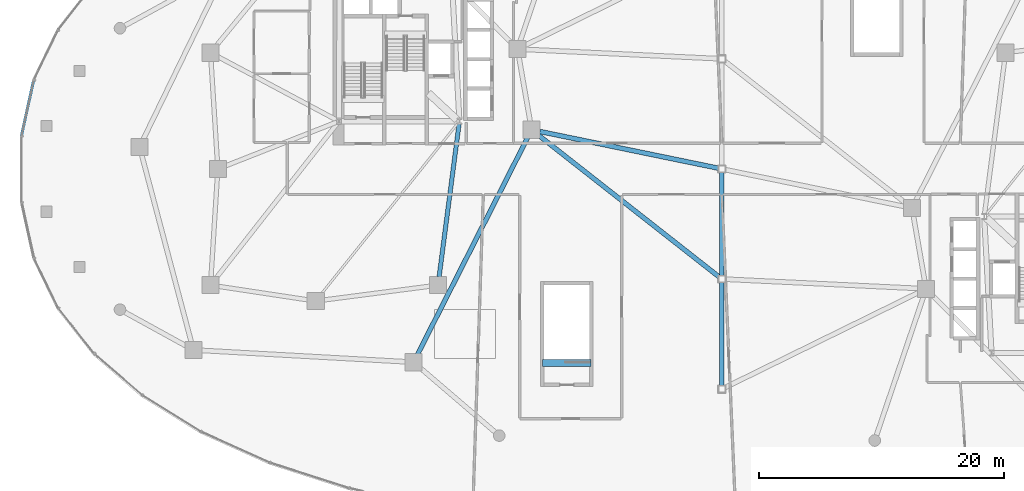
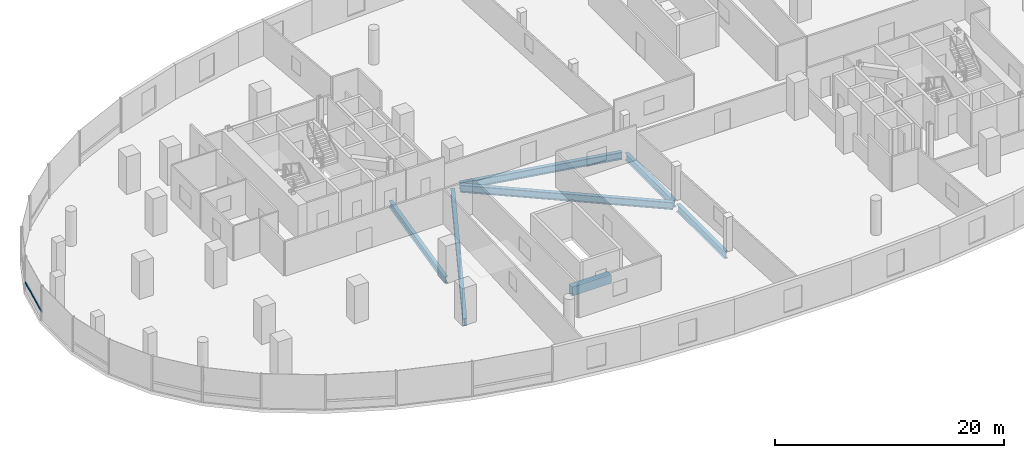
# One storey, part 4 of 18: 7 beams, 1 member, 1 element without a shape of its own.
"""IFC4 building model written with IfcOpenShell, lengths in metres."""

from ifc_helpers import new_model, si_unit, direction, frame, origin, origin_2d, place, context, subcontext, project, spatial, rectangle, i_section, extrude, material, material_profile, profile_set, type_object, element, aggregate, save


model = new_model("IFC4")

# Units and contexts
model_context = context("Model", 3, precision=1e-05, world=origin(), true_north=direction((0.0, 1.0)))
body_context = subcontext(model_context, "Body", "Model", "MODEL_VIEW")
ifc_project = project(units=[si_unit("LENGTHUNIT", "METRE"), si_unit("AREAUNIT", "SQUARE_METRE"), si_unit("VOLUMEUNIT", "CUBIC_METRE"), si_unit("PLANEANGLEUNIT", "RADIAN"), si_unit("MASSUNIT", "GRAM", prefix="KILO"), si_unit("THERMODYNAMICTEMPERATUREUNIT", "KELVIN"), si_unit("POWERUNIT", "WATT")], contexts=[model_context])

# Site, building, storey
site_placement = place(None, origin())
site = spatial("IfcSite", under=ifc_project, at=site_placement, CompositionType="ELEMENT")
building_placement = place(site_placement, origin())
building = spatial("IfcBuilding", under=site, at=building_placement, Name="Cundina Bronze Exchange", CompositionType="ELEMENT")
storey_placement = place(building_placement, frame((0.0, 0.0, 20.0)))
storey = spatial("IfcBuildingStorey", under=building, at=storey_placement, Name="L04", CompositionType="ELEMENT", Elevation=20.0)

# Beams
ifc_material_1 = material(Name="Concrete C60/75", Category="concrete")
ifc_material_profile_1 = material_profile(ifc_material_1, rectangle(XDim=0.60009765625, YDim=0.949951171875, at=origin_2d()), Name="RC600X950", Category="concrete")
ifc_profile_set_1 = profile_set([ifc_material_profile_1], Name="Concrete C60/75")
beam_type_1 = type_object("IfcBeamType", Name="BM-COUP-RC950", PredefinedType="LINTEL", material=ifc_profile_set_1)
beam_1_placement = place(storey_placement, frame((-14.639892578125, -15.8701171875, -0.47509765625), z_axis=(1.0, 0.0, 0.0), x_axis=(0.0, 1.0, 0.0)))
element("IfcBeam", 1, at=beam_1_placement, inside=storey, type_object=beam_type_1, Name="L04 Concourse Stair W Landing Header Beam", PredefinedType="LINTEL", context=body_context, shape_type="SweptSolid", body=[
    extrude(rectangle(XDim=0.60009765625, YDim=0.949951171875, at=origin_2d()), origin(), (0.0, 0.0, 1.0), 3.93994140625),
])
ifc_material_2 = material(Name="Steel ASTM A992 Grade 50", Category="steel")
ifc_material_profile_2 = material_profile(ifc_material_2, i_section(OverallWidth=0.35498046875, OverallDepth=0.695068359375, WebThickness=0.015380859375, FlangeThickness=0.02490234375, FilletRadius=0.01806640625, at=origin_2d()), Name="W27X146", Category="steel")
ifc_profile_set_2 = profile_set([ifc_material_profile_2], Name="Steel ASTM A992 Grade 50")
beam_type_2 = type_object("IfcBeamType", Name="BM-RING-W27", PredefinedType="USERDEFINED", material=ifc_profile_set_2)
beam_2_placement = place(storey_placement, frame((-23.11083984375, -8.81787109375, -0.697509765625), z_axis=(0.129498776905, 0.991579581668, 0.0), x_axis=(-0.991579581668, 0.129498776905, 0.0)))
element("IfcBeam", 2, at=beam_2_placement, inside=storey, type_object=beam_type_2, Name="L04 W Inner Structural Ring Girder 07", ObjectType="GIRDER", PredefinedType="USERDEFINED", context=body_context, shape_type="SweptSolid", body=[
    extrude(i_section(OverallWidth=0.35498046875, OverallDepth=0.695068359375, WebThickness=0.015380859375, FlangeThickness=0.02490234375, FilletRadius=0.01806640625, at=origin_2d()), origin(), (0.0, 0.0, 1.0), 12.621826171875),
])
ifc_material_profile_3 = material_profile(ifc_material_2, i_section(OverallWidth=0.381103515625, OverallDepth=0.77294921875, WebThickness=0.0166015625, FlangeThickness=0.027099609375, FilletRadius=0.01904296875, at=origin_2d()), Name="W30X173", Category="steel")
ifc_profile_set_3 = profile_set([ifc_material_profile_3], Name="Steel ASTM A992 Grade 50")
beam_type_3 = type_object("IfcBeamType", Name="BM-RING-W30", PredefinedType="USERDEFINED", material=ifc_profile_set_3)
for number, where, z_axis, x_axis, name in (
    (3, (0.0, -17.7119140625, -0.736572265625), (0.0, 1.0, 0.0), (-1.0, 0.0, 0.0), "L04 Concourse Spine Longitudinal Girder 01"),
    (4, (0.0, -8.7119140625, -0.736572265625), (0.0, 1.0, 0.0), (-1.0, 0.0, 0.0), "L04 Concourse Spine Longitudinal Girder 02"),
):
    element("IfcBeam", number, at=place(storey_placement, frame(where, z_axis=z_axis, x_axis=x_axis)), inside=storey, type_object=beam_type_3, Name=name, ObjectType="GIRDER", PredefinedType="USERDEFINED", context=body_context, shape_type="SweptSolid", body=[
        extrude(i_section(OverallWidth=0.381103515625, OverallDepth=0.77294921875, WebThickness=0.0166015625, FlangeThickness=0.027099609375, FilletRadius=0.01904296875, at=origin_2d()), origin(), (0.0, 0.0, 1.0), 8.423828125),
    ])
beam_3_placement = place(storey_placement, frame((-15.0087890625, 2.775390625, -0.736572265625), z_axis=(0.786756409396, -0.617263600316, 0.0), x_axis=(0.617263600316, 0.786756409396, 0.0)))
element("IfcBeam", 5, at=beam_3_placement, inside=storey, type_object=beam_type_3, Name="L04 Concourse West Span Girder 02", ObjectType="GIRDER", PredefinedType="USERDEFINED", context=body_context, shape_type="SweptSolid", body=[
    extrude(i_section(OverallWidth=0.381103515625, OverallDepth=0.77294921875, WebThickness=0.0166015625, FlangeThickness=0.027099609375, FilletRadius=0.01904296875, at=origin_2d()), origin(), (0.0, 0.0, 1.0), 18.788818359375),
])
beam_4_placement = place(storey_placement, frame((-14.876220703125, 3.061279296875, -0.736572265625), z_axis=(0.979477217361, -0.201554907336, 0.0), x_axis=(0.201554907336, 0.979477217361, 0.0)))
element("IfcBeam", 6, at=beam_4_placement, inside=storey, type_object=beam_type_3, Name="L04 Concourse West Span Girder 03", ObjectType="GIRDER", PredefinedType="USERDEFINED", context=body_context, shape_type="SweptSolid", body=[
    extrude(i_section(OverallWidth=0.381103515625, OverallDepth=0.77294921875, WebThickness=0.0166015625, FlangeThickness=0.027099609375, FilletRadius=0.01904296875, at=origin_2d()), origin(), (0.0, 0.0, 1.0), 14.900146484375),
])
beam_5_placement = place(storey_placement, frame((-24.888427734375, -15.1865234375, -0.736572265625), z_axis=(0.452833622724, 0.891595037072, 0.0), x_axis=(-0.891595037072, 0.452833622724, 0.0)))
element("IfcBeam", 7, at=beam_5_placement, inside=storey, type_object=beam_type_3, Name="L04 W Podium Ring Girder 12", ObjectType="GIRDER", PredefinedType="USERDEFINED", context=body_context, shape_type="SweptSolid", body=[
    extrude(i_section(OverallWidth=0.381103515625, OverallDepth=0.77294921875, WebThickness=0.0166015625, FlangeThickness=0.027099609375, FilletRadius=0.01904296875, at=origin_2d()), origin(), (0.0, 0.0, 1.0), 19.93408203125),
])

# Curtain wall, member
ifc_material_3 = material(Name="Anodised Bronze Aluminium 6063-T6", Category="aluminium")
curtain_wall_type = type_object("IfcCurtainWallType", Name="CWS-POD-CONC", PredefinedType="NOTDEFINED", material=ifc_material_3)
curtain_wall_placement = place(storey_placement, origin())
curtain_wall = element("IfcCurtainWall", 8, at=curtain_wall_placement, inside=storey, type_object=curtain_wall_type, Name="L04 CW-01 Curtain Wall Run CWR-L04-04", PredefinedType="NOTDEFINED")
ifc_material_profile_4 = material_profile(ifc_material_3, rectangle(XDim=0.080078125, YDim=0.2099609375, at=origin_2d()), Name="AL80X210", Category="aluminium")
ifc_profile_set_4 = profile_set([ifc_material_profile_4], Name="Anodised Bronze Aluminium 6063-T6")
member_type = type_object("IfcMemberType", Name="CWM-TRN-210", PredefinedType="USERDEFINED", material=ifc_profile_set_4)
member_placement = place(storey_placement, frame((-56.249267578125, 7.18603515625, 0.919921875), z_axis=(-0.214447065297, -0.976735612224, 0.0), x_axis=(0.976735612224, -0.214447065297, 0.0)))
member = element("IfcMember", 9, at=member_placement, type_object=member_type, Name="CW-01 Spandrel Transom 1", ObjectType="TRANSOM", PredefinedType="USERDEFINED", context=body_context, shape_type="SweptSolid", body=[
    extrude(rectangle(XDim=0.080078125, YDim=0.2099609375, at=origin_2d()), origin(), (0.0, 0.0, 1.0), 4.571044921875),
])
aggregate(curtain_wall, [member])

save(model, "model.ifc")
